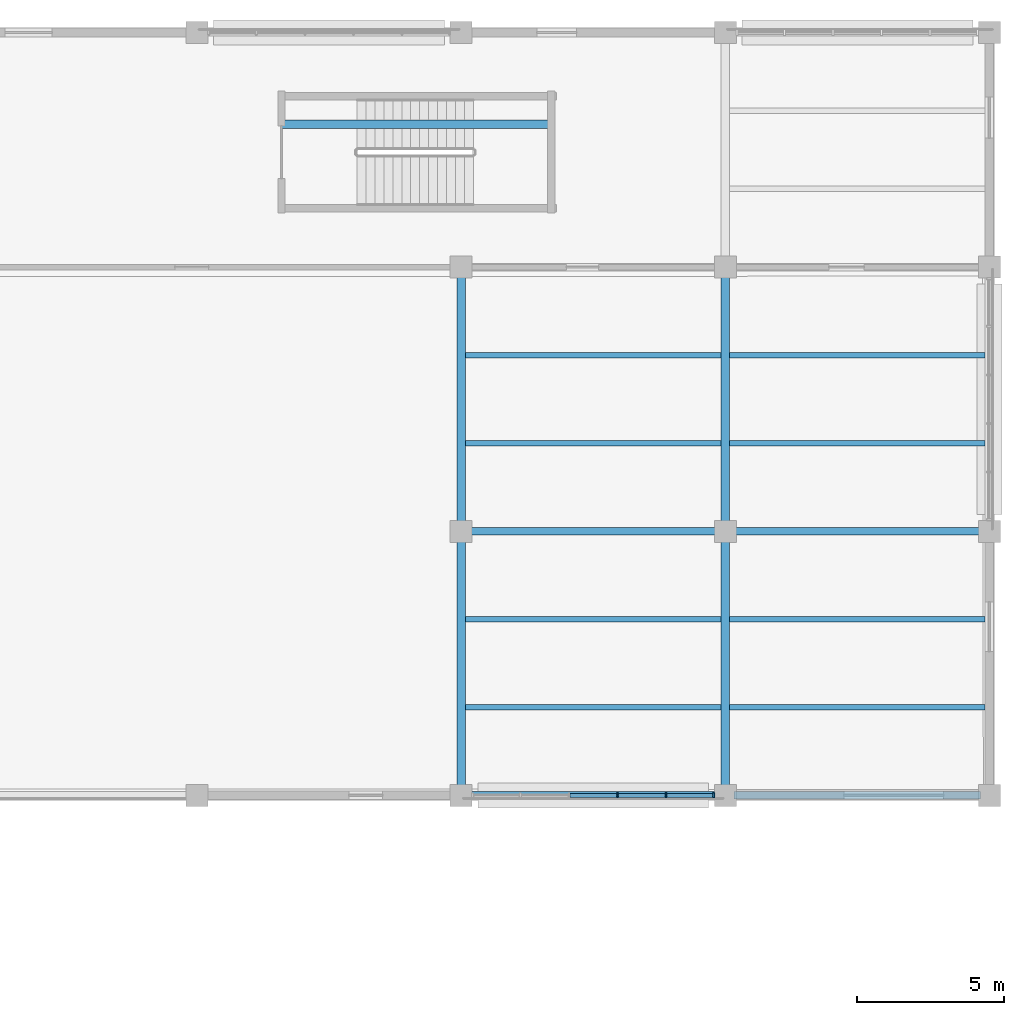
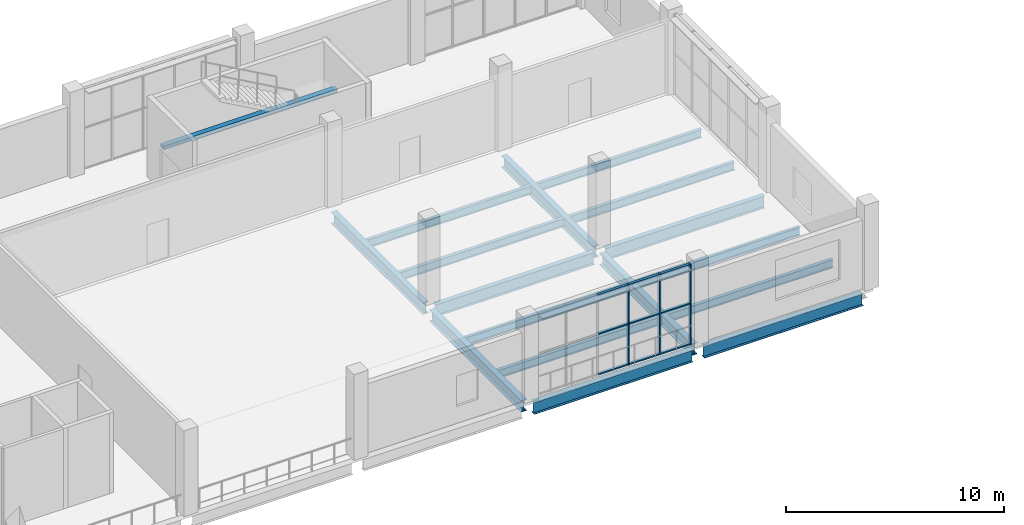
# One storey, part 72 of 179: 17 beams, 12 members, 1 element without a shape of its own.
"""IFC4 building model written with IfcOpenShell, lengths in metres."""

from ifc_helpers import new_model, si_unit, direction, frame, origin, origin_2d, place, context, subcontext, project, spatial, rectangle, i_section, extrude, material, material_profile, profile_set, type_object, element, aggregate, save


model = new_model("IFC4")

# Units and contexts
model_context = context("Model", 3, precision=1e-05, world=origin(), true_north=direction((0.0, 1.0)))
body_context = subcontext(model_context, "Body", "Model", "MODEL_VIEW")
ifc_project = project(units=[si_unit("LENGTHUNIT", "METRE"), si_unit("AREAUNIT", "SQUARE_METRE"), si_unit("VOLUMEUNIT", "CUBIC_METRE"), si_unit("PLANEANGLEUNIT", "RADIAN"), si_unit("MASSUNIT", "GRAM", prefix="KILO")], contexts=[model_context])

# Site, building, storey
site_placement = place(None, origin())
site = spatial("IfcSite", under=ifc_project, at=site_placement, CompositionType="ELEMENT")
building_placement = place(site_placement, origin())
building = spatial("IfcBuilding", under=site, at=building_placement, Name="Zevraka Park Crest Stadium", CompositionType="ELEMENT")
storey_placement = place(building_placement, frame((0.0, 0.0, 10.199951171875)))
storey = spatial("IfcBuildingStorey", under=building, at=storey_placement, Name="L02", CompositionType="ELEMENT", Elevation=10.199951171875)

# Beams
ifc_material_1 = material(Name="Steel S355", Category="steel")
ifc_material_profile_1 = material_profile(ifc_material_1, i_section(OverallWidth=0.253662109375, OverallDepth=0.68359375, WebThickness=0.012451171875, FlangeThickness=0.01904296875, at=origin_2d()), Name="UKB 686x254x140")
ifc_profile_set_1 = profile_set([ifc_material_profile_1], Name="Steel S355")
beam_type_1 = type_object("IfcBeamType", Name="BG05", PredefinedType="BEAM", material=ifc_profile_set_1)
for number, where, z_axis, x_axis, name in (
    (1, (206.300048828125, 158.0, -0.629638671875), (1.0, 0.0, 0.0), (0.0, 1.0, 0.0), "Wing Girder BG05 L02-2324/T"),
    (2, (206.300048828125, 167.0, -0.629638671875), (1.0, 0.0, 0.0), (0.0, 1.0, 0.0), "Wing Girder BG05 L02-2324/U"),
    (3, (215.300048828125, 158.0, -0.629638671875), (1.0, 0.0, 0.0), (0.0, 1.0, 0.0), "Wing Girder BG05 L02-2425/T"),
    (4, (215.300048828125, 167.0, -0.629638671875), (1.0, 0.0, 0.0), (0.0, 1.0, 0.0), "Wing Girder BG05 L02-2425/U"),
):
    element("IfcBeam", number, at=place(storey_placement, frame(where, z_axis=z_axis, x_axis=x_axis)), inside=storey, type_object=beam_type_1, Name=name, PredefinedType="BEAM", context=body_context, shape_type="SweptSolid", body=[
        extrude(i_section(OverallWidth=0.253662109375, OverallDepth=0.68359375, WebThickness=0.012451171875, FlangeThickness=0.01904296875, at=origin_2d()), origin(), (0.0, 0.0, 1.0), 8.39990234375),
    ])
ifc_material_2 = material(Name="Steel S355", Category="steel")
ifc_material_profile_2 = material_profile(ifc_material_2, i_section(OverallWidth=0.300048828125, OverallDepth=0.64990234375, WebThickness=0.01611328125, FlangeThickness=0.031005859375, at=origin_2d()), Name="HEB 650")
ifc_profile_set_2 = profile_set([ifc_material_profile_2], Name="Steel S355")
beam_type_2 = type_object("IfcBeamType", Name="BG07", PredefinedType="BEAM", material=ifc_profile_set_2)
for number, where, z_axis, x_axis, name in (
    (5, (206.0, 158.300048828125, -0.613037109375), (0.0, 1.0, 0.0), (-1.0, 0.0, 0.0), "Wing Girder BG07 L02-23/TU"),
    (6, (206.0, 167.300048828125, -0.613037109375), (0.0, 1.0, 0.0), (-1.0, 0.0, 0.0), "Wing Girder BG07 L02-23/UV"),
    (7, (215.0, 158.300048828125, -0.613037109375), (0.0, 1.0, 0.0), (-1.0, 0.0, 0.0), "Wing Girder BG07 L02-24/TU"),
    (8, (215.0, 167.300048828125, -0.613037109375), (0.0, 1.0, 0.0), (-1.0, 0.0, 0.0), "Wing Girder BG07 L02-24/UV"),
):
    element("IfcBeam", number, at=place(storey_placement, frame(where, z_axis=z_axis, x_axis=x_axis)), inside=storey, type_object=beam_type_2, Name=name, PredefinedType="BEAM", context=body_context, shape_type="SweptSolid", body=[
        extrude(i_section(OverallWidth=0.300048828125, OverallDepth=0.64990234375, WebThickness=0.01611328125, FlangeThickness=0.031005859375, at=origin_2d()), origin(), (0.0, 0.0, 1.0), 8.39990234375),
    ])

# Curtain wall, members
ifc_material_3 = material(Name="Anodised architectural aluminium and laminated safety glass", Category="aluminium")
curtain_wall_type = type_object("IfcCurtainWallType", Name="CW29", PredefinedType="NOTDEFINED", material=ifc_material_3)
curtain_wall_placement = place(storey_placement, origin())
curtain_wall = element("IfcCurtainWall", 9, at=curtain_wall_placement, inside=storey, type_object=curtain_wall_type, Name="Wing Curtain Wall CW29 L02-NGATE-S-2", PredefinedType="NOTDEFINED")
ifc_material_4 = material(Name="Anodised architectural aluminium", Category="aluminium")
ifc_material_profile_3 = material_profile(ifc_material_4, rectangle(XDim=0.179931640625, YDim=0.06494140625, at=origin_2d()), Name="ALU MULLION 180x65")
ifc_profile_set_3 = profile_set([ifc_material_profile_3], Name="Anodised architectural aluminium")
member_type_1 = type_object("IfcMemberType", Name="CM02", PredefinedType="MULLION", material=ifc_profile_set_3)
member_1_placement = place(storey_placement, frame((214.6025390625, 158.0, 0.0), z_axis=(0.0, 0.0, 1.0), x_axis=(0.0, -1.0, 0.0)))
member_1 = element("IfcMember", 10, at=member_1_placement, type_object=member_type_1, Name="CW29 mullion 1", PredefinedType="MULLION", context=body_context, shape_type="SweptSolid", body=[
    extrude(rectangle(XDim=0.179931640625, YDim=0.06494140625, at=origin_2d()), origin(), (0.0, 0.0, 1.0), 4.5),
])
member_2_placement = place(storey_placement, frame((212.98095703125, 158.0, 0.0), z_axis=(0.0, 0.0, 1.0), x_axis=(0.0, -1.0, 0.0)))
member_2 = element("IfcMember", 11, at=member_2_placement, type_object=member_type_1, Name="CW29 mullion 2", PredefinedType="MULLION", context=body_context, shape_type="SweptSolid", body=[
    extrude(rectangle(XDim=0.179931640625, YDim=0.06494140625, at=origin_2d()), origin(), (0.0, 0.0, 1.0), 4.5),
])
member_3_placement = place(storey_placement, frame((211.326904296875, 158.0, 0.0), z_axis=(0.0, 0.0, 1.0), x_axis=(0.0, -1.0, 0.0)))
member_3 = element("IfcMember", 12, at=member_3_placement, type_object=member_type_1, Name="CW29 mullion 3", PredefinedType="MULLION", context=body_context, shape_type="SweptSolid", body=[
    extrude(rectangle(XDim=0.179931640625, YDim=0.06494140625, at=origin_2d()), origin(), (0.0, 0.0, 1.0), 4.5),
])
ifc_material_5 = material(Name="Anodised architectural aluminium", Category="aluminium")
ifc_material_profile_4 = material_profile(ifc_material_5, rectangle(XDim=0.139892578125, YDim=0.06494140625, at=origin_2d()), Name="ALU TRANSOM 140x65")
ifc_profile_set_4 = profile_set([ifc_material_profile_4], Name="Anodised architectural aluminium")
member_type_2 = type_object("IfcMemberType", Name="CT02", PredefinedType="USERDEFINED", material=ifc_profile_set_4)
member_4_placement = place(storey_placement, frame((214.570068359375, 158.0, 0.032470703125), z_axis=(-1.0, 0.0, 0.0), x_axis=(0.0, -1.0, 0.0)))
member_4 = element("IfcMember", 13, at=member_4_placement, type_object=member_type_2, Name="CW29 transom 1.1", ObjectType="TRANSOM", PredefinedType="USERDEFINED", context=body_context, shape_type="SweptSolid", body=[
    extrude(rectangle(XDim=0.139892578125, YDim=0.06494140625, at=origin_2d()), origin(), (0.0, 0.0, 1.0), 1.556640625),
])
member_5_placement = place(storey_placement, frame((214.570068359375, 158.0, 2.300048828125), z_axis=(-1.0, 0.0, 0.0), x_axis=(0.0, -1.0, 0.0)))
member_5 = element("IfcMember", 14, at=member_5_placement, type_object=member_type_2, Name="CW29 transom 1.2", ObjectType="TRANSOM", PredefinedType="USERDEFINED", context=body_context, shape_type="SweptSolid", body=[
    extrude(rectangle(XDim=0.139892578125, YDim=0.06494140625, at=origin_2d()), origin(), (0.0, 0.0, 1.0), 1.556640625),
])
member_6_placement = place(storey_placement, frame((214.570068359375, 158.0, 4.467529296875), z_axis=(-1.0, 0.0, 0.0), x_axis=(0.0, -1.0, 0.0)))
member_6 = element("IfcMember", 15, at=member_6_placement, type_object=member_type_2, Name="CW29 transom 1.3", ObjectType="TRANSOM", PredefinedType="USERDEFINED", context=body_context, shape_type="SweptSolid", body=[
    extrude(rectangle(XDim=0.139892578125, YDim=0.06494140625, at=origin_2d()), origin(), (0.0, 0.0, 1.0), 1.556640625),
])
member_7_placement = place(storey_placement, frame((212.948486328125, 158.0, 0.032470703125), z_axis=(-1.0, 0.0, 0.0), x_axis=(0.0, -1.0, 0.0)))
member_7 = element("IfcMember", 16, at=member_7_placement, type_object=member_type_2, Name="CW29 transom 2.1", ObjectType="TRANSOM", PredefinedType="USERDEFINED", context=body_context, shape_type="SweptSolid", body=[
    extrude(rectangle(XDim=0.139892578125, YDim=0.06494140625, at=origin_2d()), origin(), (0.0, 0.0, 1.0), 1.5888671875),
])
member_8_placement = place(storey_placement, frame((212.948486328125, 158.0, 2.300048828125), z_axis=(-1.0, 0.0, 0.0), x_axis=(0.0, -1.0, 0.0)))
member_8 = element("IfcMember", 17, at=member_8_placement, type_object=member_type_2, Name="CW29 transom 2.2", ObjectType="TRANSOM", PredefinedType="USERDEFINED", context=body_context, shape_type="SweptSolid", body=[
    extrude(rectangle(XDim=0.139892578125, YDim=0.06494140625, at=origin_2d()), origin(), (0.0, 0.0, 1.0), 1.5888671875),
])
member_9_placement = place(storey_placement, frame((212.948486328125, 158.0, 4.467529296875), z_axis=(-1.0, 0.0, 0.0), x_axis=(0.0, -1.0, 0.0)))
member_9 = element("IfcMember", 18, at=member_9_placement, type_object=member_type_2, Name="CW29 transom 2.3", ObjectType="TRANSOM", PredefinedType="USERDEFINED", context=body_context, shape_type="SweptSolid", body=[
    extrude(rectangle(XDim=0.139892578125, YDim=0.06494140625, at=origin_2d()), origin(), (0.0, 0.0, 1.0), 1.5888671875),
])
member_10_placement = place(storey_placement, frame((211.29443359375, 158.0, 0.032470703125), z_axis=(-1.0, 0.0, 0.0), x_axis=(0.0, -1.0, 0.0)))
member_10 = element("IfcMember", 19, at=member_10_placement, type_object=member_type_2, Name="CW29 transom 3.1", ObjectType="TRANSOM", PredefinedType="USERDEFINED", context=body_context, shape_type="SweptSolid", body=[
    extrude(rectangle(XDim=0.139892578125, YDim=0.06494140625, at=origin_2d()), origin(), (0.0, 0.0, 1.0), 1.5888671875),
])
member_11_placement = place(storey_placement, frame((211.29443359375, 158.0, 2.300048828125), z_axis=(-1.0, 0.0, 0.0), x_axis=(0.0, -1.0, 0.0)))
member_11 = element("IfcMember", 20, at=member_11_placement, type_object=member_type_2, Name="CW29 transom 3.2", ObjectType="TRANSOM", PredefinedType="USERDEFINED", context=body_context, shape_type="SweptSolid", body=[
    extrude(rectangle(XDim=0.139892578125, YDim=0.06494140625, at=origin_2d()), origin(), (0.0, 0.0, 1.0), 1.5888671875),
])
member_12_placement = place(storey_placement, frame((211.29443359375, 158.0, 4.467529296875), z_axis=(-1.0, 0.0, 0.0), x_axis=(0.0, -1.0, 0.0)))
member_12 = element("IfcMember", 21, at=member_12_placement, type_object=member_type_2, Name="CW29 transom 3.3", ObjectType="TRANSOM", PredefinedType="USERDEFINED", context=body_context, shape_type="SweptSolid", body=[
    extrude(rectangle(XDim=0.139892578125, YDim=0.06494140625, at=origin_2d()), origin(), (0.0, 0.0, 1.0), 1.5888671875),
])
aggregate(curtain_wall, [member_1, member_2, member_3, member_4, member_5, member_6, member_7, member_8, member_9, member_10, member_11, member_12])

# Beams
ifc_material_6 = material(Name="Steel S355", Category="steel")
ifc_material_profile_5 = material_profile(ifc_material_6, i_section(OverallWidth=0.18994140625, OverallDepth=0.45703125, WebThickness=0.009033203125, FlangeThickness=0.014404296875, at=origin_2d()), Name="UKB 457x191x74")
ifc_profile_set_5 = profile_set([ifc_material_profile_5], Name="Steel S355")
beam_type_3 = type_object("IfcBeamType", Name="SJ12", PredefinedType="JOIST", material=ifc_profile_set_5)
for number, where, z_axis, x_axis, name in (
    (22, (206.14501953125, 161.0, -0.5185546875), (1.0, 0.0, 0.0), (0.0, 1.0, 0.0), "Wing Joist SJ12 L02-23/T-1"),
    (23, (206.14501953125, 164.0, -0.5185546875), (1.0, 0.0, 0.0), (0.0, 1.0, 0.0), "Wing Joist SJ12 L02-23/T-2"),
    (24, (206.14501953125, 170.0, -0.5185546875), (1.0, 0.0, 0.0), (0.0, 1.0, 0.0), "Wing Joist SJ12 L02-23/U-1"),
    (25, (206.14501953125, 173.0, -0.5185546875), (1.0, 0.0, 0.0), (0.0, 1.0, 0.0), "Wing Joist SJ12 L02-23/U-2"),
    (26, (215.14501953125, 161.0, -0.5185546875), (1.0, 0.0, 0.0), (0.0, 1.0, 0.0), "Wing Joist SJ12 L02-24/T-1"),
    (27, (215.14501953125, 164.0, -0.5185546875), (1.0, 0.0, 0.0), (0.0, 1.0, 0.0), "Wing Joist SJ12 L02-24/T-2"),
    (28, (215.14501953125, 170.0, -0.5185546875), (1.0, 0.0, 0.0), (0.0, 1.0, 0.0), "Wing Joist SJ12 L02-24/U-1"),
    (29, (215.14501953125, 173.0, -0.5185546875), (1.0, 0.0, 0.0), (0.0, 1.0, 0.0), "Wing Joist SJ12 L02-24/U-2"),
):
    element("IfcBeam", number, at=place(storey_placement, frame(where, z_axis=z_axis, x_axis=x_axis)), inside=storey, type_object=beam_type_3, Name=name, PredefinedType="JOIST", context=body_context, shape_type="SweptSolid", body=[
        extrude(i_section(OverallWidth=0.18994140625, OverallDepth=0.45703125, WebThickness=0.009033203125, FlangeThickness=0.014404296875, at=origin_2d()), origin(), (0.0, 0.0, 1.0), 8.7099609375),
    ])
ifc_material_7 = material(Name="Concrete C40/50", Category="concrete")
ifc_material_profile_6 = material_profile(ifc_material_7, rectangle(XDim=0.280029296875, YDim=0.199951171875, at=origin_2d()), Name="RC 200x280")
ifc_profile_set_6 = profile_set([ifc_material_profile_6], Name="Concrete C40/50")
beam_type_4 = type_object("IfcBeamType", Name="SJ13", PredefinedType="JOIST", material=ifc_profile_set_6)
beam_placement = place(storey_placement, frame((199.89990234375, 180.875, 2.300048828125), z_axis=(1.0, 0.0, 0.0), x_axis=(0.0, 1.0, 0.0)))
element("IfcBeam", 30, at=beam_placement, inside=storey, type_object=beam_type_4, Name="Stair Upper-Flight Longitudinal Stringer SJ13 ST45-L02", PredefinedType="JOIST", context=body_context, shape_type="SweptSolid", body=[
    extrude(rectangle(XDim=0.280029296875, YDim=0.199951171875, at=origin_2d()), origin(), (0.0, 0.0, 1.0), 9.2001953125),
])

save(model, "model.ifc")
